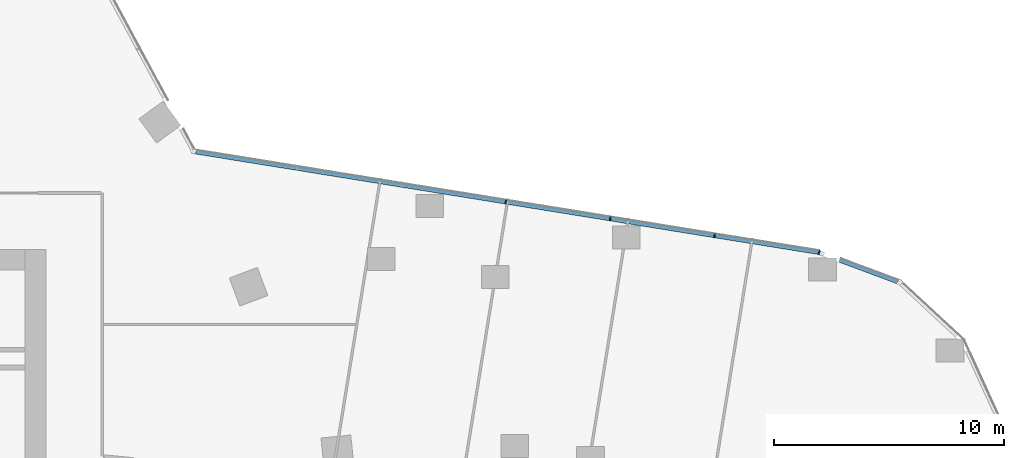
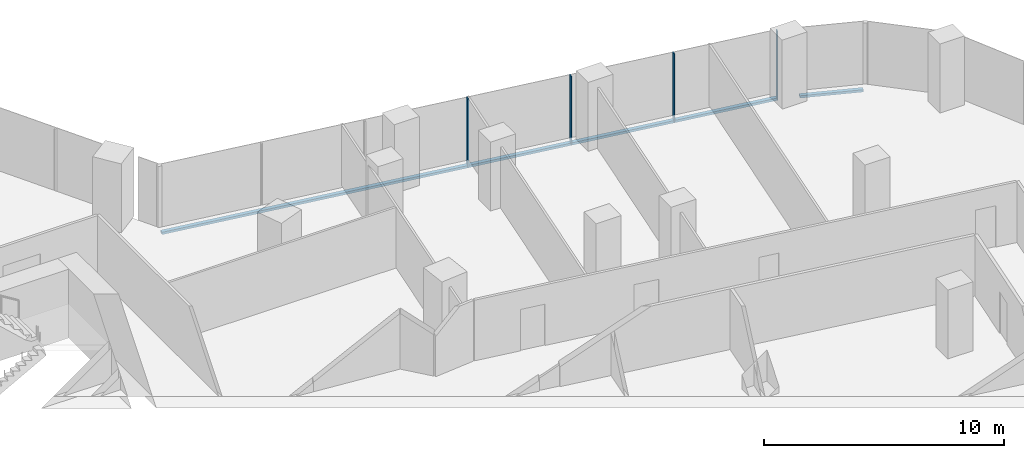
# One storey, part 14 of 34: 6 members, 2 elements without a shape of their own.
"""IFC4 building model written with IfcOpenShell, lengths in metres."""

from ifc_helpers import new_model, si_unit, direction, frame, origin, origin_2d, place, context, subcontext, project, spatial, rectangle, extrude, material, material_profile, profile_set, type_object, element, aggregate, save


model = new_model("IFC4")

# Units and contexts
model_context = context("Model", 3, precision=1e-05, world=origin(), true_north=direction((0.0, 1.0)))
body_context = subcontext(model_context, "Body", "Model", "MODEL_VIEW")
ifc_project = project(units=[si_unit("LENGTHUNIT", "METRE"), si_unit("AREAUNIT", "SQUARE_METRE"), si_unit("VOLUMEUNIT", "CUBIC_METRE"), si_unit("PLANEANGLEUNIT", "RADIAN"), si_unit("MASSUNIT", "GRAM", prefix="KILO")], contexts=[model_context])

# Site, building, storey
site_placement = place(None, origin())
site = spatial("IfcSite", under=ifc_project, at=site_placement, CompositionType="ELEMENT")
building_placement = place(site_placement, origin())
building = spatial("IfcBuilding", under=site, at=building_placement, Name="Orlundy Tower", CompositionType="ELEMENT")
storey_placement = place(building_placement, frame((0.0, 0.0, 130.699951171875)))
storey = spatial("IfcBuildingStorey", under=building, at=storey_placement, Name="L33", CompositionType="ELEMENT", Elevation=130.699951171875)

# Curtain wall, members
ifc_material_1 = material(Name="Aluminium bronze anodised", Category="aluminium")
curtain_wall_type = type_object("IfcCurtainWallType", Name="CW1 wall", PredefinedType="NOTDEFINED", material=ifc_material_1)
curtain_wall_1_placement = place(storey_placement, origin())
curtain_wall_1 = element("IfcCurtainWall", 1, at=curtain_wall_1_placement, inside=storey, type_object=curtain_wall_type, Name="CW1 run 06", PredefinedType="NOTDEFINED")
ifc_material_2 = material(Name="Aluminium bronze anodised", Category="aluminium")
ifc_material_profile_1 = material_profile(ifc_material_2, rectangle(XDim=0.179931640625, YDim=0.050048828125, at=origin_2d()), Name="CW1 mullion 50x180")
ifc_profile_set_1 = profile_set([ifc_material_profile_1], Name="Aluminium bronze anodised")
member_type_1 = type_object("IfcMemberType", Name="CW1 mullion 50x180", PredefinedType="MULLION", material=ifc_profile_set_1)
member_1_placement = place(storey_placement, frame((38.971923828125, 14.060791015625, -0.39990234375), z_axis=(0.0, 0.0, 1.0), x_axis=(0.159302095871, 0.987229883184, 0.0)))
member_1 = element("IfcMember", 2, at=member_1_placement, type_object=member_type_1, Name="CW1 mullion 29", PredefinedType="MULLION", context=body_context, shape_type="SweptSolid", body=[
    extrude(rectangle(XDim=0.179931640625, YDim=0.050048828125, at=origin_2d()), origin(), (0.0, 0.0, 1.0), 3.5),
])
member_2_placement = place(storey_placement, frame((43.501953125, 13.329833984375, -0.39990234375), z_axis=(0.0, 0.0, 1.0), x_axis=(0.159302095871, 0.987229883184, 0.0)))
member_2 = element("IfcMember", 3, at=member_2_placement, type_object=member_type_1, Name="CW1 mullion 30", PredefinedType="MULLION", context=body_context, shape_type="SweptSolid", body=[
    extrude(rectangle(XDim=0.179931640625, YDim=0.050048828125, at=origin_2d()), origin(), (0.0, 0.0, 1.0), 3.5),
])
member_3_placement = place(storey_placement, frame((48.0322265625, 12.598876953125, -0.39990234375), z_axis=(0.0, 0.0, 1.0), x_axis=(0.159302095871, 0.987229883184, 0.0)))
member_3 = element("IfcMember", 4, at=member_3_placement, type_object=member_type_1, Name="CW1 mullion 31", PredefinedType="MULLION", context=body_context, shape_type="SweptSolid", body=[
    extrude(rectangle(XDim=0.179931640625, YDim=0.050048828125, at=origin_2d()), origin(), (0.0, 0.0, 1.0), 3.5),
])

# Curtain wall, member
curtain_wall_2_placement = place(storey_placement, origin())
curtain_wall_2 = element("IfcCurtainWall", 5, at=curtain_wall_2_placement, inside=storey, type_object=curtain_wall_type, Name="CW1 run 07", PredefinedType="NOTDEFINED")
member_4_placement = place(storey_placement, frame((52.571044921875, 11.866455078125, -0.39990234375), z_axis=(0.0, 0.0, 1.0), x_axis=(0.255333702163, 0.96685298807, 0.0)))
member_4 = element("IfcMember", 6, at=member_4_placement, type_object=member_type_1, Name="CW1 mullion 32", PredefinedType="MULLION", context=body_context, shape_type="SweptSolid", body=[
    extrude(rectangle(XDim=0.179931640625, YDim=0.050048828125, at=origin_2d()), origin(), (0.0, 0.0, 1.0), 3.5),
])

# Member
ifc_material_3 = material(Name="Aluminium bronze anodised", Category="aluminium")
ifc_material_profile_2 = material_profile(ifc_material_3, rectangle(XDim=0.179931640625, YDim=0.1201171875, at=origin_2d()), Name="CW1 transom 180x120")
ifc_profile_set_2 = profile_set([ifc_material_profile_2], Name="Aluminium bronze anodised")
member_type_2 = type_object("IfcMemberType", Name="CW1 transom 180x120", PredefinedType="USERDEFINED", material=ifc_profile_set_2)
member_5_placement = place(storey_placement, frame((25.513916015625, 16.232421875, -0.33984375), z_axis=(0.987229724449, -0.159303079582, 0.0), x_axis=(0.159303079582, 0.987229724449, 0.0)))
member_5 = element("IfcMember", 7, at=member_5_placement, type_object=member_type_2, Name="CW1 transom", ObjectType="TRANSOM", PredefinedType="USERDEFINED", context=body_context, shape_type="SweptSolid", body=[
    extrude(rectangle(XDim=0.179931640625, YDim=0.1201171875, at=origin_2d()), origin(), (0.0, 0.0, 1.0), 27.382080078125),
])

aggregate(curtain_wall_1, [member_1, member_2, member_3, member_5])

member_6_placement = place(storey_placement, frame((53.465087890625, 11.53369140625, -0.33984375), z_axis=(0.937149851319, -0.348927150238, 0.0), x_axis=(0.348927150238, 0.937149851319, 0.0)))
member_6 = element("IfcMember", 8, at=member_6_placement, type_object=member_type_2, Name="CW1 transom", ObjectType="TRANSOM", PredefinedType="USERDEFINED", context=body_context, shape_type="SweptSolid", body=[
    extrude(rectangle(XDim=0.179931640625, YDim=0.1201171875, at=origin_2d()), origin(), (0.0, 0.0, 1.0), 2.68115234375),
])

aggregate(curtain_wall_2, [member_4, member_6])

save(model, "model.ifc")
